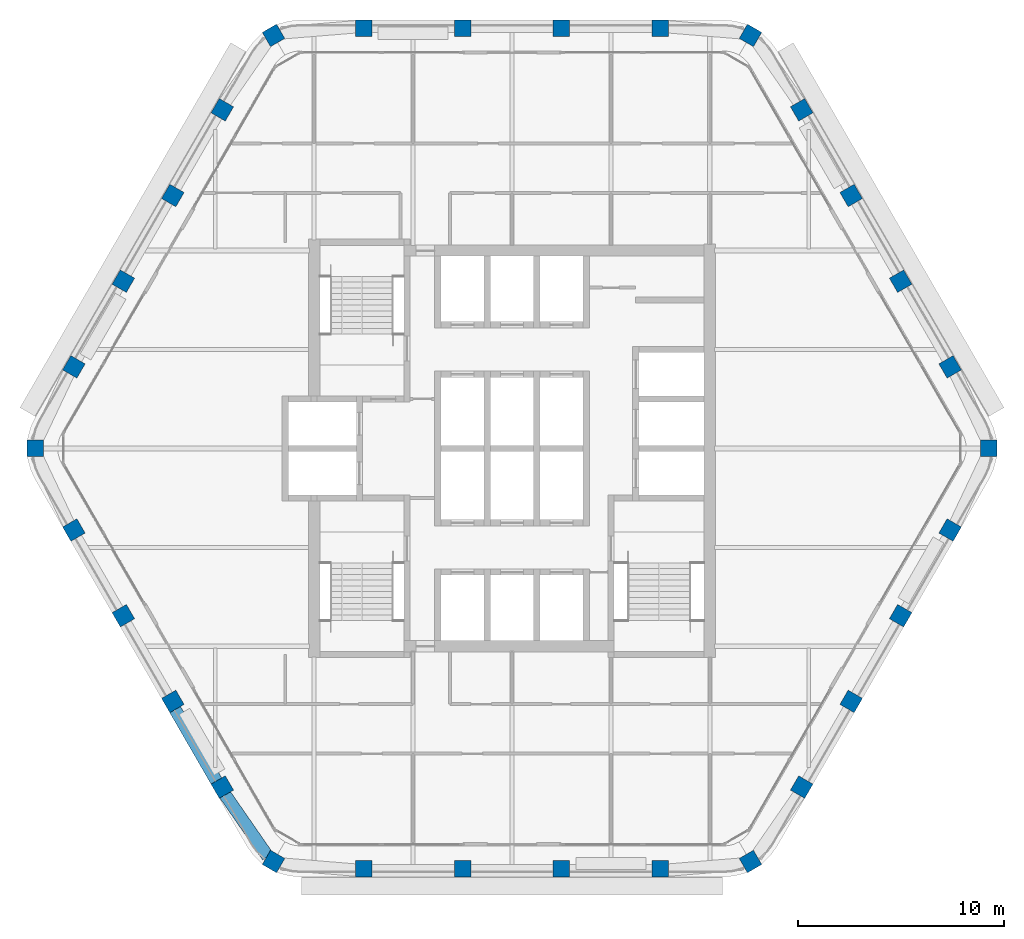
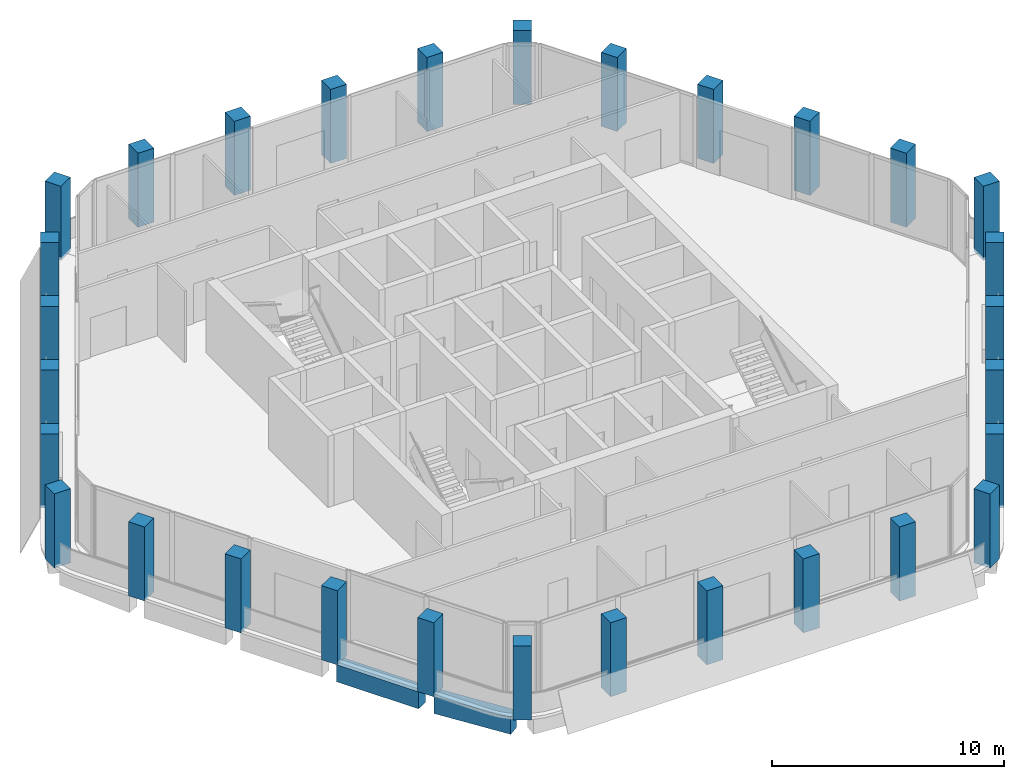
# One storey, part 1 of 14: 30 columns, 2 beams.
"""IFC4 building model written with IfcOpenShell, lengths in metres."""

from ifc_helpers import new_model, si_unit, direction, frame, origin, origin_2d, place, context, subcontext, project, spatial, rectangle, extrude, material, material_profile, profile_set, type_object, element, save


model = new_model("IFC4")

# Units and contexts
model_context = context("Model", 3, precision=1e-05, world=origin(), true_north=direction((0.0, 1.0)))
body_context = subcontext(model_context, "Body", "Model", "MODEL_VIEW")
ifc_project = project(units=[si_unit("LENGTHUNIT", "METRE"), si_unit("AREAUNIT", "SQUARE_METRE"), si_unit("VOLUMEUNIT", "CUBIC_METRE"), si_unit("PLANEANGLEUNIT", "RADIAN"), si_unit("MASSUNIT", "GRAM", prefix="KILO")], contexts=[model_context])

# Site, building, storey
site_placement = place(None, origin())
site = spatial("IfcSite", under=ifc_project, at=site_placement, CompositionType="ELEMENT")
building_placement = place(site_placement, origin())
building = spatial("IfcBuilding", under=site, at=building_placement, Name="Kolab Exchange Tower", CompositionType="ELEMENT")
storey_placement = place(building_placement, frame((0.0, 0.0, 242.300048828125)))
storey = spatial("IfcBuildingStorey", under=building, at=storey_placement, Name="L53", CompositionType="ELEMENT", Elevation=242.300048828125)

# Columns
ifc_material = material(Name="Concrete C50/60", Category="concrete")
ifc_material_profile_1 = material_profile(ifc_material, rectangle(XDim=0.800048828125, YDim=0.800048828125, at=origin_2d()), Name="RC800")
ifc_profile_set_1 = profile_set([ifc_material_profile_1], Name="Concrete C50/60")
column_type = type_object("IfcColumnType", Name="PERIMETER COLUMN 800 SQ C50/60", PredefinedType="COLUMN", material=ifc_profile_set_1)
for number, where, z_axis, x_axis, name in (
    (1, (-11.56787109375, 20.036376953125, -0.150146484375), (0.0, 0.0, 1.0), (0.866025403784, 0.5, 0.0), "col/L53/F1-01"),
    (2, (-7.199951171875, 20.384521484375, -0.150146484375), (0.0, 0.0, 1.0), (1.0, 0.0, 0.0), "col/L53/F1-02"),
    (3, (-2.39990234375, 20.384521484375, -0.150146484375), (0.0, 0.0, 1.0), (1.0, 0.0, 0.0), "col/L53/F1-03"),
    (4, (2.39990234375, 20.384521484375, -0.150146484375), (0.0, 0.0, 1.0), (1.0, 0.0, 0.0), "col/L53/F1-04"),
    (5, (7.199951171875, 20.384521484375, -0.150146484375), (0.0, 0.0, 1.0), (1.0, 0.0, 0.0), "col/L53/F1-05"),
    (6, (11.56787109375, 20.036376953125, -0.150146484375), (0.0, 0.0, 1.0), (0.5, 0.866025403784, 0.0), "col/L53/F2-01"),
    (7, (14.0537109375, 16.427734375, -0.150146484375), (0.0, 0.0, 1.0), (0.866025403784, 0.5, 0.0), "col/L53/F2-02"),
    (8, (16.45361328125, 12.270751953125, -0.150146484375), (0.0, 0.0, 1.0), (0.866025403784, 0.5, 0.0), "col/L53/F2-03"),
    (9, (18.853515625, 8.11376953125, -0.150146484375), (0.0, 0.0, 1.0), (0.866025403784, 0.5, 0.0), "col/L53/F2-04"),
    (10, (21.253662109375, 3.95703125, -0.150146484375), (0.0, 0.0, 1.0), (0.866025403784, 0.5, 0.0), "col/L53/F2-05"),
    (11, (23.135986328125, 0.0, -0.150146484375), (0.0, 0.0, 1.0), (1.0, 0.0, 0.0), "col/L53/F3-01"),
    (12, (21.253662109375, -3.95703125, -0.150146484375), (0.0, 0.0, 1.0), (0.5, 0.866025403784, 0.0), "col/L53/F3-02"),
    (13, (18.853515625, -8.11376953125, -0.150146484375), (0.0, 0.0, 1.0), (0.5, 0.866025403784, 0.0), "col/L53/F3-03"),
    (14, (16.45361328125, -12.270751953125, -0.150146484375), (0.0, 0.0, 1.0), (0.5, 0.866025403784, 0.0), "col/L53/F3-04"),
    (15, (14.0537109375, -16.427734375, -0.150146484375), (0.0, 0.0, 1.0), (0.5, 0.866025403784, 0.0), "col/L53/F3-05"),
    (16, (11.56787109375, -20.036376953125, -0.150146484375), (0.0, 0.0, 1.0), (0.866025403784, 0.5, 0.0), "col/L53/F4-01"),
    (17, (7.199951171875, -20.384521484375, -0.150146484375), (0.0, 0.0, 1.0), (1.0, 0.0, 0.0), "col/L53/F4-02"),
    (18, (2.39990234375, -20.384521484375, -0.150146484375), (0.0, 0.0, 1.0), (1.0, 0.0, 0.0), "col/L53/F4-03"),
    (19, (-2.39990234375, -20.384521484375, -0.150146484375), (0.0, 0.0, 1.0), (1.0, 0.0, 0.0), "col/L53/F4-04"),
    (20, (-7.199951171875, -20.384521484375, -0.150146484375), (0.0, 0.0, 1.0), (1.0, 0.0, 0.0), "col/L53/F4-05"),
    (21, (-11.56787109375, -20.036376953125, -0.150146484375), (0.0, 0.0, 1.0), (0.5, 0.866025403784, 0.0), "col/L53/F5-01"),
    (22, (-14.0537109375, -16.427734375, -0.150146484375), (0.0, 0.0, 1.0), (0.866025403784, 0.5, 0.0), "col/L53/F5-02"),
    (23, (-16.45361328125, -12.270751953125, -0.150146484375), (0.0, 0.0, 1.0), (0.866025403784, 0.5, 0.0), "col/L53/F5-03"),
    (24, (-18.853515625, -8.11376953125, -0.150146484375), (0.0, 0.0, 1.0), (0.866025403784, 0.5, 0.0), "col/L53/F5-04"),
    (25, (-21.253662109375, -3.95703125, -0.150146484375), (0.0, 0.0, 1.0), (0.866025403784, 0.5, 0.0), "col/L53/F5-05"),
    (26, (-23.135986328125, 0.0, -0.150146484375), (0.0, 0.0, 1.0), (1.0, 0.0, 0.0), "col/L53/F6-01"),
    (27, (-21.253662109375, 3.95703125, -0.150146484375), (0.0, 0.0, 1.0), (0.5, 0.866025403784, 0.0), "col/L53/F6-02"),
    (28, (-18.853515625, 8.11376953125, -0.150146484375), (0.0, 0.0, 1.0), (0.5, 0.866025403784, 0.0), "col/L53/F6-03"),
    (29, (-16.45361328125, 12.270751953125, -0.150146484375), (0.0, 0.0, 1.0), (0.5, 0.866025403784, 0.0), "col/L53/F6-04"),
    (30, (-14.0537109375, 16.427734375, -0.150146484375), (0.0, 0.0, 1.0), (0.5, 0.866025403784, 0.0), "col/L53/F6-05"),
):
    element("IfcColumn", number, at=place(storey_placement, frame(where, z_axis=z_axis, x_axis=x_axis)), inside=storey, type_object=column_type, Name=name, PredefinedType="COLUMN", context=body_context, shape_type="SweptSolid", body=[
        extrude(rectangle(XDim=0.800048828125, YDim=0.800048828125, at=origin_2d()), origin(), (0.0, 0.0, 1.0), 3.900146484375),
    ])

# Beams
ifc_material_profile_2 = material_profile(ifc_material, rectangle(XDim=0.60009765625, YDim=0.89990234375, at=origin_2d()), Name="RC600X900")
ifc_profile_set_2 = profile_set([ifc_material_profile_2], Name="Concrete C50/60")
beam_type = type_object("IfcBeamType", Name="SPANDREL BEAM 600X900 C50/60", PredefinedType="BEAM", material=ifc_profile_set_2)
beam_1_placement = place(storey_placement, frame((-11.846923828125, -19.7919921875, -0.60009765625), z_axis=(-0.569005808573, 0.822333502789, 0.0), x_axis=(-0.822333502789, -0.569005808573, 0.0)))
element("IfcBeam", 31, at=beam_1_placement, inside=storey, type_object=beam_type, Name="beam/L53/sp/F5-01", PredefinedType="BEAM", context=body_context, shape_type="SweptSolid", body=[
    extrude(rectangle(XDim=0.60009765625, YDim=0.89990234375, at=origin_2d()), origin(), (0.0, 0.0, 1.0), 3.6689453125),
])
beam_2_placement = place(storey_placement, frame((-14.3203125, -16.166015625, -0.60009765625), z_axis=(-0.499955548806, 0.866051066172, 0.0), x_axis=(-0.866051066172, -0.499955548806, 0.0)))
element("IfcBeam", 32, at=beam_2_placement, inside=storey, type_object=beam_type, Name="beam/L53/sp/F5-02", PredefinedType="BEAM", context=body_context, shape_type="SweptSolid", body=[
    extrude(rectangle(XDim=0.60009765625, YDim=0.89990234375, at=origin_2d()), origin(), (0.0, 0.0, 1.0), 4.079833984375),
])

save(model, "model.ifc")
